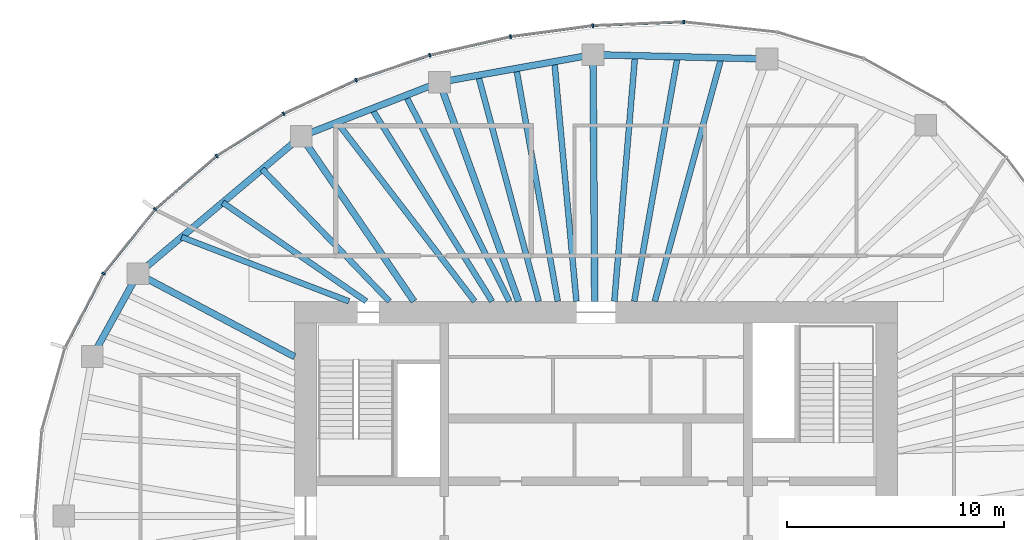
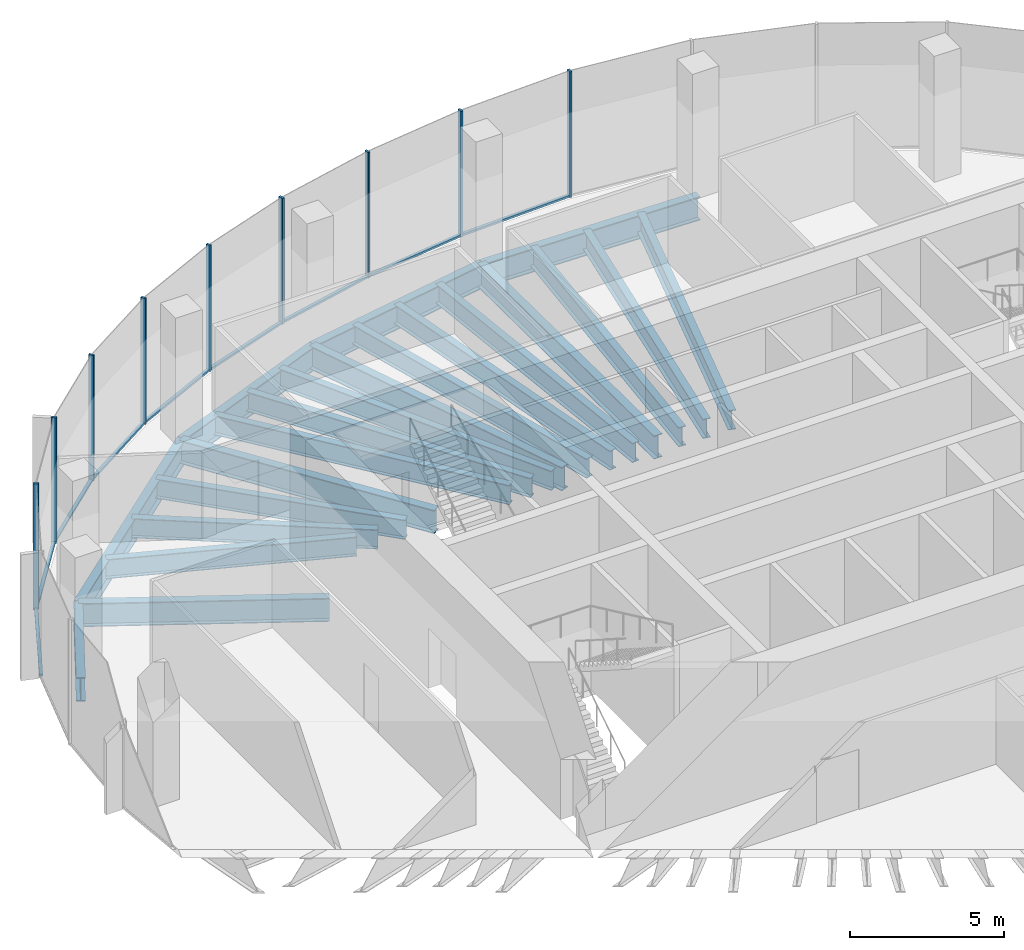
# One storey, part 5 of 11: 21 beams, 18 members, 5 elements without a shape of their own.
"""IFC4 building model written with IfcOpenShell, lengths in metres."""

from ifc_helpers import new_model, si_unit, direction, frame, origin, origin_2d, place, context, subcontext, project, spatial, rectangle, i_section, extrude, material, material_profile, profile_set, type_object, element, aggregate, save


model = new_model("IFC4")

# Units and contexts
model_context = context("Model", 3, precision=1e-05, world=origin(), true_north=direction((0.0, 1.0)))
body_context = subcontext(model_context, "Body", "Model", "MODEL_VIEW")
ifc_project = project(units=[si_unit("LENGTHUNIT", "METRE"), si_unit("AREAUNIT", "SQUARE_METRE"), si_unit("VOLUMEUNIT", "CUBIC_METRE"), si_unit("PLANEANGLEUNIT", "RADIAN"), si_unit("MASSUNIT", "GRAM", prefix="KILO")], contexts=[model_context])

# Site, building, storey
site_placement = place(None, origin())
site = spatial("IfcSite", under=ifc_project, at=site_placement, CompositionType="ELEMENT")
building_placement = place(site_placement, origin())
building = spatial("IfcBuilding", under=site, at=building_placement, Name="Ghaith Harvest Tower", CompositionType="ELEMENT")
storey_placement = place(building_placement, frame((0.0, 0.0, 334.199951171875)))
storey = spatial("IfcBuildingStorey", under=building, at=storey_placement, Name="L75", CompositionType="ELEMENT", Elevation=334.199951171875)

# Curtain wall, member
ifc_material_1 = material(Name="Black anodised aluminium and fritted glass", Category="aluminium")
curtain_wall_type = type_object("IfcCurtainWallType", Name="CW-T CURTAIN WALL", PredefinedType="NOTDEFINED", material=ifc_material_1)
curtain_wall_1_placement = place(storey_placement, origin())
curtain_wall_1 = element("IfcCurtainWall", 1, at=curtain_wall_1_placement, inside=storey, type_object=curtain_wall_type, Name="Curtain wall CW-T bay 05 L75", PredefinedType="NOTDEFINED")
ifc_material_2 = material(Name="Aluminium, black anodised", Category="aluminium")
ifc_material_profile_1 = material_profile(ifc_material_2, rectangle(XDim=0.080078125, YDim=0.179931640625, at=origin_2d()), Name="CW-T MULLION 80x180")
ifc_profile_set_1 = profile_set([ifc_material_profile_1], Name="Aluminium, black anodised")
member_type_1 = type_object("IfcMemberType", Name="CW-T MULLION 80x180", PredefinedType="MULLION", material=ifc_profile_set_1)
member_1_placement = place(storey_placement, frame((4.037841796875, 22.776611328125, 0.0), z_axis=(0.0, 0.0, 1.0), x_axis=(-0.999388631236, 0.034962319079, 0.0)))
member_1 = element("IfcMember", 2, at=member_1_placement, type_object=member_type_1, Name="CW-T mullion 2 bay 05 L75", PredefinedType="MULLION", context=body_context, shape_type="SweptSolid", body=[
    extrude(rectangle(XDim=0.080078125, YDim=0.179931640625, at=origin_2d()), origin(), (0.0, 0.0, 1.0), 5.0),
])

# Curtain wall, members
curtain_wall_2_placement = place(storey_placement, origin())
curtain_wall_2 = element("IfcCurtainWall", 3, at=curtain_wall_2_placement, inside=storey, type_object=curtain_wall_type, Name="Curtain wall CW-T bay 06 L75", PredefinedType="NOTDEFINED")
member_2_placement = place(storey_placement, frame((-0.15478515625, 22.60595703125, 0.0), z_axis=(0.0, 0.0, 1.0), x_axis=(-0.996414855482, -0.084601629853, 0.0)))
member_2 = element("IfcMember", 4, at=member_2_placement, type_object=member_type_1, Name="CW-T mullion 1 bay 06 L75", PredefinedType="MULLION", context=body_context, shape_type="SweptSolid", body=[
    extrude(rectangle(XDim=0.080078125, YDim=0.179931640625, at=origin_2d()), origin(), (0.0, 0.0, 1.0), 5.0),
])
member_3_placement = place(storey_placement, frame((-3.946533203125, 22.0986328125, 0.0), z_axis=(0.0, 0.0, 1.0), x_axis=(-0.983843447681, -0.179030920389, 0.0)))
member_3 = element("IfcMember", 5, at=member_3_placement, type_object=member_type_1, Name="CW-T mullion 2 bay 06 L75", PredefinedType="MULLION", context=body_context, shape_type="SweptSolid", body=[
    extrude(rectangle(XDim=0.080078125, YDim=0.179931640625, at=origin_2d()), origin(), (0.0, 0.0, 1.0), 5.0),
])

curtain_wall_3_placement = place(storey_placement, origin())
curtain_wall_3 = element("IfcCurtainWall", 6, at=curtain_wall_3_placement, inside=storey, type_object=curtain_wall_type, Name="Curtain wall CW-T bay 07 L75", PredefinedType="NOTDEFINED")
member_4_placement = place(storey_placement, frame((-7.6708984375, 21.23828125, 0.0), z_axis=(0.0, 0.0, 1.0), x_axis=(-0.962552491436, -0.27109537294, 0.0)))
member_4 = element("IfcMember", 7, at=member_4_placement, type_object=member_type_1, Name="CW-T mullion 1 bay 07 L75", PredefinedType="MULLION", context=body_context, shape_type="SweptSolid", body=[
    extrude(rectangle(XDim=0.080078125, YDim=0.179931640625, at=origin_2d()), origin(), (0.0, 0.0, 1.0), 5.0),
])
member_5_placement = place(storey_placement, frame((-11.0673828125, 20.093017578125, 0.0), z_axis=(0.0, 0.0, 1.0), x_axis=(-0.928624420706, -0.371021138573, 0.0)))
member_5 = element("IfcMember", 8, at=member_5_placement, type_object=member_type_1, Name="CW-T mullion 2 bay 07 L75", PredefinedType="MULLION", context=body_context, shape_type="SweptSolid", body=[
    extrude(rectangle(XDim=0.080078125, YDim=0.179931640625, at=origin_2d()), origin(), (0.0, 0.0, 1.0), 5.0),
])

curtain_wall_4_placement = place(storey_placement, origin())
curtain_wall_4 = element("IfcCurtainWall", 9, at=curtain_wall_4_placement, inside=storey, type_object=curtain_wall_type, Name="Curtain wall CW-T bay 08 L75", PredefinedType="NOTDEFINED")
member_6_placement = place(storey_placement, frame((-14.40478515625, 18.5478515625, 0.0), z_axis=(0.0, 0.0, 1.0), x_axis=(-0.87867173244, -0.477426420101, 0.0)))
member_6 = element("IfcMember", 10, at=member_6_placement, type_object=member_type_1, Name="CW-T mullion 1 bay 08 L75", PredefinedType="MULLION", context=body_context, shape_type="SweptSolid", body=[
    extrude(rectangle(XDim=0.080078125, YDim=0.179931640625, at=origin_2d()), origin(), (0.0, 0.0, 1.0), 5.0),
])
member_7_placement = place(storey_placement, frame((-17.49462890625, 16.600830078125, 0.0), z_axis=(0.0, 0.0, 1.0), x_axis=(-0.802189888678, -0.597068993084, 0.0)))
member_7 = element("IfcMember", 11, at=member_7_placement, type_object=member_type_1, Name="CW-T mullion 2 bay 08 L75", PredefinedType="MULLION", context=body_context, shape_type="SweptSolid", body=[
    extrude(rectangle(XDim=0.080078125, YDim=0.179931640625, at=origin_2d()), origin(), (0.0, 0.0, 1.0), 5.0),
])

curtain_wall_5_placement = place(storey_placement, origin())
curtain_wall_5 = element("IfcCurtainWall", 12, at=curtain_wall_5_placement, inside=storey, type_object=curtain_wall_type, Name="Curtain wall CW-T bay 09 L75", PredefinedType="NOTDEFINED")
member_8_placement = place(storey_placement, frame((-20.324462890625, 14.141845703125, 0.0), z_axis=(0.0, 0.0, 1.0), x_axis=(-0.692826491995, -0.72110432809, 0.0)))
member_8 = element("IfcMember", 13, at=member_8_placement, type_object=member_type_1, Name="CW-T mullion 1 bay 09 L75", PredefinedType="MULLION", context=body_context, shape_type="SweptSolid", body=[
    extrude(rectangle(XDim=0.080078125, YDim=0.179931640625, at=origin_2d()), origin(), (0.0, 0.0, 1.0), 5.0),
])
member_9_placement = place(storey_placement, frame((-22.706298828125, 11.176513671875, 0.0), z_axis=(0.0, 0.0, 1.0), x_axis=(-0.545865412621, -0.837872872997, 0.0)))
member_9 = element("IfcMember", 14, at=member_9_placement, type_object=member_type_1, Name="CW-T mullion 2 bay 09 L75", PredefinedType="MULLION", context=body_context, shape_type="SweptSolid", body=[
    extrude(rectangle(XDim=0.080078125, YDim=0.179931640625, at=origin_2d()), origin(), (0.0, 0.0, 1.0), 5.0),
])

# Member
ifc_material_3 = material(Name="Aluminium, black anodised", Category="aluminium")
ifc_material_profile_2 = material_profile(ifc_material_3, rectangle(XDim=0.1201171875, YDim=0.080078125, at=origin_2d()), Name="CW-T TRANSOM 120x80")
ifc_profile_set_2 = profile_set([ifc_material_profile_2], Name="Aluminium, black anodised")
member_type_2 = type_object("IfcMemberType", Name="CW-T TRANSOM 120x80", PredefinedType="USERDEFINED", material=ifc_profile_set_2)
member_10_placement = place(storey_placement, frame((3.997802734375, 22.77490234375, 0.0400390625), z_axis=(-0.999174207562, -0.040631304968, 0.0), x_axis=(0.040631304968, -0.999174207562, 0.0)))
member_10 = element("IfcMember", 15, at=member_10_placement, type_object=member_type_2, Name="CW-T transom 2 bay 05 L75", ObjectType="TRANSOM", PredefinedType="USERDEFINED", context=body_context, shape_type="SweptSolid", body=[
    extrude(rectangle(XDim=0.1201171875, YDim=0.080078125, at=origin_2d()), origin(), (0.0, 0.0, 1.0), 4.115966796875),
])

aggregate(curtain_wall_1, [member_1, member_10])

member_11_placement = place(storey_placement, frame((-0.1943359375, 22.6005859375, 0.0400390625), z_axis=(-0.99117202259, -0.132582131655, 0.0), x_axis=(0.132582131655, -0.99117202259, 0.0)))
member_11 = element("IfcMember", 16, at=member_11_placement, type_object=member_type_2, Name="CW-T transom 1 bay 06 L75", ObjectType="TRANSOM", PredefinedType="USERDEFINED", context=body_context, shape_type="SweptSolid", body=[
    extrude(rectangle(XDim=0.1201171875, YDim=0.080078125, at=origin_2d()), origin(), (0.0, 0.0, 1.0), 3.745361328125),
])

member_12_placement = place(storey_placement, frame((-3.9853515625, 22.089599609375, 0.0400390625), z_axis=(-0.974344997799, -0.225059603803, 0.0), x_axis=(0.225059603803, -0.974344997799, 0.0)))
member_12 = element("IfcMember", 17, at=member_12_placement, type_object=member_type_2, Name="CW-T transom 2 bay 06 L75", ObjectType="TRANSOM", PredefinedType="USERDEFINED", context=body_context, shape_type="SweptSolid", body=[
    extrude(rectangle(XDim=0.1201171875, YDim=0.080078125, at=origin_2d()), origin(), (0.0, 0.0, 1.0), 3.742431640625),
])

aggregate(curtain_wall_2, [member_2, member_11, member_3, member_12])

member_13_placement = place(storey_placement, frame((-7.708740234375, 21.2255859375, 0.0400390625), z_axis=(-0.9475698206, -0.319548799228, 0.0), x_axis=(0.319548799228, -0.9475698206, 0.0)))
member_13 = element("IfcMember", 18, at=member_13_placement, type_object=member_type_2, Name="CW-T transom 1 bay 07 L75", ObjectType="TRANSOM", PredefinedType="USERDEFINED", context=body_context, shape_type="SweptSolid", body=[
    extrude(rectangle(XDim=0.1201171875, YDim=0.080078125, at=origin_2d()), origin(), (0.0, 0.0, 1.0), 3.504638671875),
])

member_14_placement = place(storey_placement, frame((-11.103759765625, 20.076171875, 0.0400390625), z_axis=(-0.907472177056, -0.420112184862, 0.0), x_axis=(0.420112184862, -0.907472177056, 0.0)))
member_14 = element("IfcMember", 19, at=member_14_placement, type_object=member_type_2, Name="CW-T transom 2 bay 07 L75", ObjectType="TRANSOM", PredefinedType="USERDEFINED", context=body_context, shape_type="SweptSolid", body=[
    extrude(rectangle(XDim=0.1201171875, YDim=0.080078125, at=origin_2d()), origin(), (0.0, 0.0, 1.0), 3.597900390625),
])

aggregate(curtain_wall_3, [member_4, member_13, member_5, member_14])

member_15_placement = place(storey_placement, frame((-14.438720703125, 18.5263671875, 0.0400390625), z_axis=(-0.846053602505, -0.533097835006, 0.0), x_axis=(0.533097835006, -0.846053602505, 0.0)))
member_15 = element("IfcMember", 20, at=member_15_placement, type_object=member_type_2, Name="CW-T transom 1 bay 08 L75", ObjectType="TRANSOM", PredefinedType="USERDEFINED", context=body_context, shape_type="SweptSolid", body=[
    extrude(rectangle(XDim=0.1201171875, YDim=0.080078125, at=origin_2d()), origin(), (0.0, 0.0, 1.0), 3.572021484375),
])

member_16_placement = place(storey_placement, frame((-17.52490234375, 16.574462890625, 0.0400390625), z_axis=(-0.754851889287, -0.65589528527, 0.0), x_axis=(0.65589528527, -0.754851889287, 0.0)))
member_16 = element("IfcMember", 21, at=member_16_placement, type_object=member_type_2, Name="CW-T transom 2 bay 08 L75", ObjectType="TRANSOM", PredefinedType="USERDEFINED", context=body_context, shape_type="SweptSolid", body=[
    extrude(rectangle(XDim=0.1201171875, YDim=0.080078125, at=origin_2d()), origin(), (0.0, 0.0, 1.0), 3.668701171875),
])

aggregate(curtain_wall_4, [member_6, member_15, member_7, member_16])

member_17_placement = place(storey_placement, frame((-20.349365234375, 14.110595703125, 0.0400390625), z_axis=(-0.626253073761, -0.779619835307, 0.0), x_axis=(0.779619835307, -0.626253073761, 0.0)))
member_17 = element("IfcMember", 22, at=member_17_placement, type_object=member_type_2, Name="CW-T transom 1 bay 09 L75", ObjectType="TRANSOM", PredefinedType="USERDEFINED", context=body_context, shape_type="SweptSolid", body=[
    extrude(rectangle(XDim=0.1201171875, YDim=0.080078125, at=origin_2d()), origin(), (0.0, 0.0, 1.0), 3.723388671875),
])

member_18_placement = place(storey_placement, frame((-22.724609375, 11.14111328125, 0.0400390625), z_axis=(-0.461242681347, -0.887274021317, 0.0), x_axis=(0.887274021317, -0.461242681347, 0.0)))
member_18 = element("IfcMember", 23, at=member_18_placement, type_object=member_type_2, Name="CW-T transom 2 bay 09 L75", ObjectType="TRANSOM", PredefinedType="USERDEFINED", context=body_context, shape_type="SweptSolid", body=[
    extrude(rectangle(XDim=0.1201171875, YDim=0.080078125, at=origin_2d()), origin(), (0.0, 0.0, 1.0), 3.77197265625),
])

aggregate(curtain_wall_5, [member_8, member_17, member_9, member_18])

# Beams
ifc_material_4 = material(Name="Steel ASTM A992 Grade 50", Category="steel")
ifc_material_profile_3 = material_profile(ifc_material_4, i_section(OverallWidth=0.306884765625, OverallDepth=0.94189453125, WebThickness=0.022216796875, FlangeThickness=0.039794921875, at=origin_2d()), Name="W920X345")
ifc_profile_set_3 = profile_set([ifc_material_profile_3], Name="Steel ASTM A992 Grade 50")
beam_type_1 = type_object("IfcBeamType", Name="E920-345 W920X345", PredefinedType="SPANDREL", material=ifc_profile_set_3)
beam_1_placement = place(storey_placement, frame((7.8779296875, 21.072021484375, -0.696044921875), z_axis=(-0.999692679676, 0.024790042413, 0.0), x_axis=(-0.024790042413, -0.999692679676, 0.0)))
element("IfcBeam", 24, at=beam_1_placement, inside=storey, type_object=beam_type_1, Name="Edge beam E05 L75", PredefinedType="SPANDREL", context=body_context, shape_type="SweptSolid", body=[
    extrude(i_section(OverallWidth=0.306884765625, OverallDepth=0.94189453125, WebThickness=0.022216796875, FlangeThickness=0.039794921875, at=origin_2d()), origin(), (0.0, 0.0, 1.0), 8.0263671875),
])
beam_2_placement = place(storey_placement, frame((-0.14599609375, 21.27099609375, -0.696044921875), z_axis=(-0.984177047684, -0.177187863051, 0.0), x_axis=(0.177187863051, -0.984177047684, 0.0)))
element("IfcBeam", 25, at=beam_2_placement, inside=storey, type_object=beam_type_1, Name="Edge beam E06 L75", PredefinedType="SPANDREL", context=body_context, shape_type="SweptSolid", body=[
    extrude(i_section(OverallWidth=0.306884765625, OverallDepth=0.94189453125, WebThickness=0.022216796875, FlangeThickness=0.039794921875, at=origin_2d()), origin(), (0.0, 0.0, 1.0), 7.189697265625),
])
beam_3_placement = place(storey_placement, frame((-7.221923828125, 19.9970703125, -0.696044921875), z_axis=(-0.931322768207, -0.364194867371, 0.0), x_axis=(0.364194867371, -0.931322768207, 0.0)))
element("IfcBeam", 26, at=beam_3_placement, inside=storey, type_object=beam_type_1, Name="Edge beam E07 L75", PredefinedType="SPANDREL", context=body_context, shape_type="SweptSolid", body=[
    extrude(i_section(OverallWidth=0.306884765625, OverallDepth=0.94189453125, WebThickness=0.022216796875, FlangeThickness=0.039794921875, at=origin_2d()), origin(), (0.0, 0.0, 1.0), 6.843017578125),
])
beam_4_placement = place(storey_placement, frame((-13.594970703125, 17.5048828125, -0.696044921875), z_axis=(-0.765021818761, -0.64400436087, 0.0), x_axis=(0.64400436087, -0.765021818761, 0.0)))
element("IfcBeam", 27, at=beam_4_placement, inside=storey, type_object=beam_type_1, Name="Edge beam E08 L75", PredefinedType="SPANDREL", context=body_context, shape_type="SweptSolid", body=[
    extrude(i_section(OverallWidth=0.306884765625, OverallDepth=0.94189453125, WebThickness=0.022216796875, FlangeThickness=0.039794921875, at=origin_2d()), origin(), (0.0, 0.0, 1.0), 9.8427734375),
])
beam_5_placement = place(storey_placement, frame((-21.125, 11.166015625, -0.696044921875), z_axis=(-0.482955575345, -0.875644855089, 0.0), x_axis=(0.875644855089, -0.482955575345, 0.0)))
element("IfcBeam", 28, at=beam_5_placement, inside=storey, type_object=beam_type_1, Name="Edge beam E09 L75", PredefinedType="SPANDREL", context=body_context, shape_type="SweptSolid", body=[
    extrude(i_section(OverallWidth=0.306884765625, OverallDepth=0.94189453125, WebThickness=0.022216796875, FlangeThickness=0.039794921875, at=origin_2d()), origin(), (0.0, 0.0, 1.0), 4.346435546875),
])
ifc_material_5 = material(Name="Steel ASTM A992 Grade 50", Category="steel")
ifc_material_profile_4 = material_profile(ifc_material_5, i_section(OverallWidth=0.31005859375, OverallDepth=0.927001953125, WebThickness=0.019287109375, FlangeThickness=0.031982421875, at=origin_2d()), Name="W920X289")
ifc_profile_set_4 = profile_set([ifc_material_profile_4], Name="Steel ASTM A992 Grade 50")
beam_type_2 = type_object("IfcBeamType", Name="G920-289 W920X289", PredefinedType="BEAM", material=ifc_profile_set_4)
beam_6_placement = place(storey_placement, frame((-0.06787109375, 9.89990234375, -0.6884765625), z_axis=(-0.00687032909, 0.999976399011, 0.0), x_axis=(-0.999976399011, -0.00687032909, 0.0)))
element("IfcBeam", 29, at=beam_6_placement, inside=storey, type_object=beam_type_2, Name="Radial girder G06 L75", PredefinedType="BEAM", context=body_context, shape_type="SweptSolid", body=[
    extrude(i_section(OverallWidth=0.31005859375, OverallDepth=0.927001953125, WebThickness=0.019287109375, FlangeThickness=0.031982421875, at=origin_2d()), origin(), (0.0, 0.0, 1.0), 11.371337890625),
])
beam_7_placement = place(storey_placement, frame((-3.57568359375, 9.89990234375, -0.6884765625), z_axis=(-0.339647816823, 0.940552688863, 0.0), x_axis=(-0.940552688863, -0.339647816823, 0.0)))
element("IfcBeam", 30, at=beam_7_placement, inside=storey, type_object=beam_type_2, Name="Radial girder G07 L75", PredefinedType="BEAM", context=body_context, shape_type="SweptSolid", body=[
    extrude(i_section(OverallWidth=0.31005859375, OverallDepth=0.927001953125, WebThickness=0.019287109375, FlangeThickness=0.031982421875, at=origin_2d()), origin(), (0.0, 0.0, 1.0), 10.7353515625),
])
beam_8_placement = place(storey_placement, frame((-8.39990234375, 9.89990234375, -0.6884765625), z_axis=(-0.564067018201, 0.825729010619, 0.0), x_axis=(-0.825729010619, -0.564067018201, 0.0)))
element("IfcBeam", 31, at=beam_8_placement, inside=storey, type_object=beam_type_2, Name="Radial girder G08 L75", PredefinedType="BEAM", context=body_context, shape_type="SweptSolid", body=[
    extrude(i_section(OverallWidth=0.31005859375, OverallDepth=0.927001953125, WebThickness=0.019287109375, FlangeThickness=0.031982421875, at=origin_2d()), origin(), (0.0, 0.0, 1.0), 9.2099609375),
])
beam_9_placement = place(storey_placement, frame((-13.89990234375, 7.34716796875, -0.6884765625), z_axis=(-0.88410164037, 0.467294649546, 0.0), x_axis=(-0.467294649546, -0.88410164037, 0.0)))
element("IfcBeam", 32, at=beam_9_placement, inside=storey, type_object=beam_type_2, Name="Radial girder G09 L75", PredefinedType="BEAM", context=body_context, shape_type="SweptSolid", body=[
    extrude(i_section(OverallWidth=0.31005859375, OverallDepth=0.927001953125, WebThickness=0.019287109375, FlangeThickness=0.031982421875, at=origin_2d()), origin(), (0.0, 0.0, 1.0), 8.17236328125),
])
ifc_material_6 = material(Name="Steel ASTM A992 Grade 50", Category="steel")
ifc_material_profile_5 = material_profile(ifc_material_6, i_section(OverallWidth=0.26806640625, OverallDepth=0.77001953125, WebThickness=0.015625, FlangeThickness=0.025390625, at=origin_2d()), Name="W760X196")
ifc_profile_set_5 = profile_set([ifc_material_profile_5], Name="Steel ASTM A992 Grade 50")
beam_type_3 = type_object("IfcBeamType", Name="J760-196 W760X196", PredefinedType="JOIST", material=ifc_profile_set_5)
beam_10_placement = place(storey_placement, frame((2.70361328125, 9.89990234375, -0.60986328125), z_axis=(0.263456499314, 0.964671277156, 0.0), x_axis=(-0.964671277156, 0.263456499314, 0.0)))
element("IfcBeam", 33, at=beam_10_placement, inside=storey, type_object=beam_type_3, Name="Joist J05.1 L75", PredefinedType="JOIST", context=body_context, shape_type="SweptSolid", body=[
    extrude(i_section(OverallWidth=0.26806640625, OverallDepth=0.77001953125, WebThickness=0.015625, FlangeThickness=0.025390625, at=origin_2d()), origin(), (0.0, 0.0, 1.0), 11.635498046875),
])
beam_11_placement = place(storey_placement, frame((1.7548828125, 9.89990234375, -0.60986328125), z_axis=(0.174562528022, 0.984646090639, 0.0), x_axis=(-0.984646090639, 0.174562528022, 0.0)))
element("IfcBeam", 34, at=beam_11_placement, inside=storey, type_object=beam_type_3, Name="Joist J05.2 L75", PredefinedType="JOIST", context=body_context, shape_type="SweptSolid", body=[
    extrude(i_section(OverallWidth=0.26806640625, OverallDepth=0.77001953125, WebThickness=0.015625, FlangeThickness=0.025390625, at=origin_2d()), origin(), (0.0, 0.0, 1.0), 11.4501953125),
])
beam_12_placement = place(storey_placement, frame((0.836669921875, 9.89990234375, -0.60986328125), z_axis=(0.084199386432, 0.996448926601, 0.0), x_axis=(-0.996448926601, 0.084199386432, 0.0)))
element("IfcBeam", 35, at=beam_12_placement, inside=storey, type_object=beam_type_3, Name="Joist J05.3 L75", PredefinedType="JOIST", context=body_context, shape_type="SweptSolid", body=[
    extrude(i_section(OverallWidth=0.26806640625, OverallDepth=0.77001953125, WebThickness=0.015625, FlangeThickness=0.025390625, at=origin_2d()), origin(), (0.0, 0.0, 1.0), 11.36328125),
])
beam_13_placement = place(storey_placement, frame((-0.9111328125, 9.89990234375, -0.60986328125), z_axis=(-0.091654473201, 0.995790870385, 0.0), x_axis=(-0.995790870385, -0.091654473201, 0.0)))
element("IfcBeam", 36, at=beam_13_placement, inside=storey, type_object=beam_type_3, Name="Joist J06.1 L75", PredefinedType="JOIST", context=body_context, shape_type="SweptSolid", body=[
    extrude(i_section(OverallWidth=0.26806640625, OverallDepth=0.77001953125, WebThickness=0.015625, FlangeThickness=0.025390625, at=origin_2d()), origin(), (0.0, 0.0, 1.0), 11.096923828125),
])
beam_14_placement = place(storey_placement, frame((-1.76806640625, 9.89990234375, -0.60986328125), z_axis=(-0.175789088574, 0.984427852277, 0.0), x_axis=(-0.984427852277, -0.175789088574, 0.0)))
element("IfcBeam", 37, at=beam_14_placement, inside=storey, type_object=beam_type_3, Name="Joist J06.2 L75", PredefinedType="JOIST", context=body_context, shape_type="SweptSolid", body=[
    extrude(i_section(OverallWidth=0.26806640625, OverallDepth=0.77001953125, WebThickness=0.015625, FlangeThickness=0.025390625, at=origin_2d()), origin(), (0.0, 0.0, 1.0), 10.903564453125),
])
beam_15_placement = place(storey_placement, frame((-2.651123046875, 9.89990234375, -0.60986328125), z_axis=(-0.258678376387, 0.96596350738, 0.0), x_axis=(-0.96596350738, -0.258678376387, 0.0)))
element("IfcBeam", 38, at=beam_15_placement, inside=storey, type_object=beam_type_3, Name="Joist J06.3 L75", PredefinedType="JOIST", context=body_context, shape_type="SweptSolid", body=[
    extrude(i_section(OverallWidth=0.26806640625, OverallDepth=0.77001953125, WebThickness=0.015625, FlangeThickness=0.025390625, at=origin_2d()), origin(), (0.0, 0.0, 1.0), 10.784912109375),
])
beam_16_placement = place(storey_placement, frame((-4.0, 9.89990234375, -0.60986328125), z_axis=(-0.449556131123, 0.893252083664, 0.0), x_axis=(-0.893252083664, -0.449556131123, 0.0)))
element("IfcBeam", 39, at=beam_16_placement, inside=storey, type_object=beam_type_3, Name="Joist J07.1 L75", PredefinedType="JOIST", context=body_context, shape_type="SweptSolid", body=[
    extrude(i_section(OverallWidth=0.26806640625, OverallDepth=0.77001953125, WebThickness=0.015625, FlangeThickness=0.025390625, at=origin_2d()), origin(), (0.0, 0.0, 1.0), 10.62353515625),
])
beam_17_placement = place(storey_placement, frame((-4.800048828125, 9.89990234375, -0.60986328125), z_axis=(-0.529596254905, 0.848249849273, 0.0), x_axis=(-0.848249849273, -0.529596254905, 0.0)))
element("IfcBeam", 40, at=beam_17_placement, inside=storey, type_object=beam_type_3, Name="Joist J07.2 L75", PredefinedType="JOIST", context=body_context, shape_type="SweptSolid", body=[
    extrude(i_section(OverallWidth=0.26806640625, OverallDepth=0.77001953125, WebThickness=0.015625, FlangeThickness=0.025390625, at=origin_2d()), origin(), (0.0, 0.0, 1.0), 10.465087890625),
])
beam_18_placement = place(storey_placement, frame((-5.60009765625, 9.89990234375, -0.60986328125), z_axis=(-0.609353577926, 0.792898617144, 0.0), x_axis=(-0.792898617144, -0.609353577926, 0.0)))
element("IfcBeam", 41, at=beam_18_placement, inside=storey, type_object=beam_type_3, Name="Joist J07.3 L75", PredefinedType="JOIST", context=body_context, shape_type="SweptSolid", body=[
    extrude(i_section(OverallWidth=0.26806640625, OverallDepth=0.77001953125, WebThickness=0.015625, FlangeThickness=0.025390625, at=origin_2d()), origin(), (0.0, 0.0, 1.0), 10.406982421875),
])
beam_19_placement = place(storey_placement, frame((-9.530517578125, 9.89990234375, -0.60986328125), z_axis=(-0.693536238632, 0.720421741554, 0.0), x_axis=(-0.720421741554, -0.693536238632, 0.0)))
element("IfcBeam", 42, at=beam_19_placement, inside=storey, type_object=beam_type_3, Name="Joist J08.1 L75", PredefinedType="JOIST", context=body_context, shape_type="SweptSolid", body=[
    extrude(i_section(OverallWidth=0.26806640625, OverallDepth=0.77001953125, WebThickness=0.015625, FlangeThickness=0.025390625, at=origin_2d()), origin(), (0.0, 0.0, 1.0), 8.4541015625),
])
beam_20_placement = place(storey_placement, frame((-10.60009765625, 9.89990234375, -0.60986328125), z_axis=(-0.823778502511, 0.566911791023, 0.0), x_axis=(-0.566911791023, -0.823778502511, 0.0)))
element("IfcBeam", 43, at=beam_20_placement, inside=storey, type_object=beam_type_3, Name="Joist J08.2 L75", PredefinedType="JOIST", context=body_context, shape_type="SweptSolid", body=[
    extrude(i_section(OverallWidth=0.26806640625, OverallDepth=0.77001953125, WebThickness=0.015625, FlangeThickness=0.025390625, at=origin_2d()), origin(), (0.0, 0.0, 1.0), 8.0341796875),
])
beam_21_placement = place(storey_placement, frame((-11.39990234375, 9.89990234375, -0.60986328125), z_axis=(-0.933583045329, 0.358361127181, 0.0), x_axis=(-0.358361127181, -0.933583045329, 0.0)))
element("IfcBeam", 44, at=beam_21_placement, inside=storey, type_object=beam_type_3, Name="Joist J08.3 L75", PredefinedType="JOIST", context=body_context, shape_type="SweptSolid", body=[
    extrude(i_section(OverallWidth=0.26806640625, OverallDepth=0.77001953125, WebThickness=0.015625, FlangeThickness=0.025390625, at=origin_2d()), origin(), (0.0, 0.0, 1.0), 8.260986328125),
])

save(model, "model.ifc")
